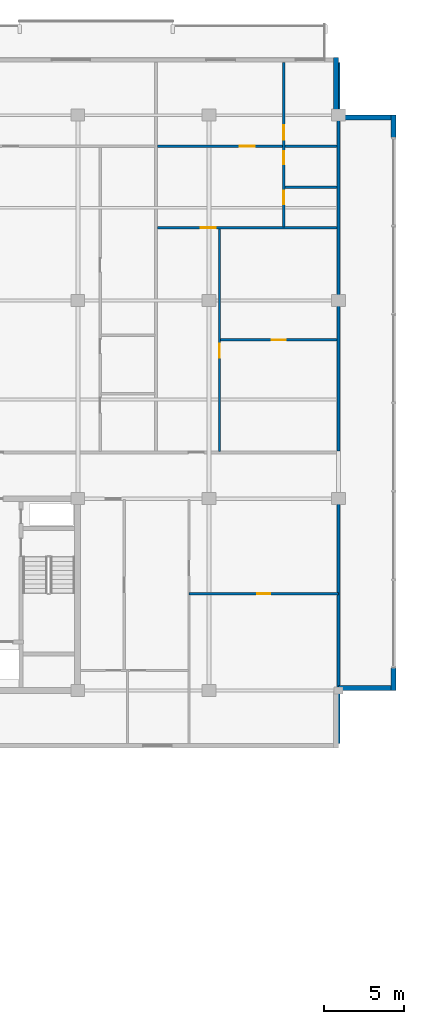
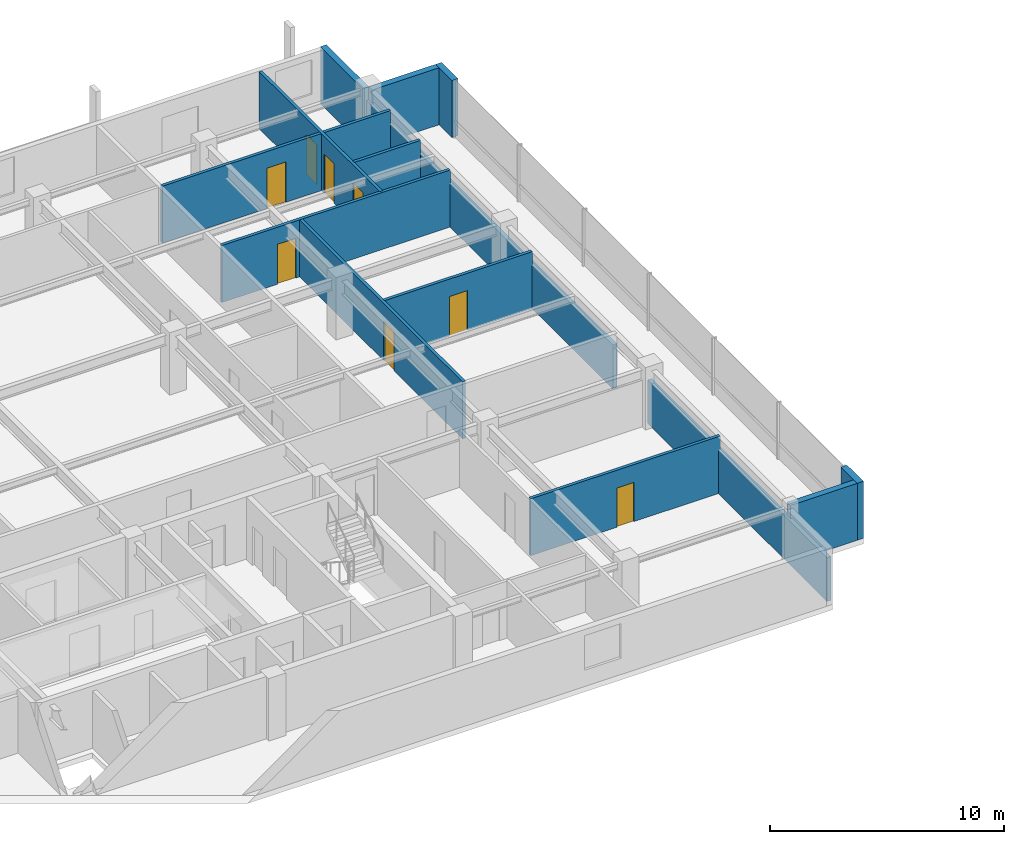
# One storey, part 26 of 32: 14 walls, 8 doors, 8 openings.
"""IFC4 building model written with IfcOpenShell, lengths in metres."""

from ifc_helpers import new_model, si_unit, direction, frame, frame_2d, origin, place, context, subcontext, project, spatial, rectangle, extrude, material, layer, layer_set, type_object, element, fill, save


model = new_model("IFC4")

# Units and contexts
model_context = context("Model", 3, precision=1e-05, world=origin(), true_north=direction((0.0, 1.0)))
body_context = subcontext(model_context, "Body", "Model", "MODEL_VIEW")
ifc_project = project(units=[si_unit("LENGTHUNIT", "METRE"), si_unit("AREAUNIT", "SQUARE_METRE"), si_unit("VOLUMEUNIT", "CUBIC_METRE"), si_unit("PLANEANGLEUNIT", "RADIAN"), si_unit("MASSUNIT", "GRAM", prefix="KILO")], contexts=[model_context])

# Site, building, storey
site_placement = place(None, origin())
site = spatial("IfcSite", under=ifc_project, at=site_placement, CompositionType="ELEMENT")
building_placement = place(site_placement, origin())
building = spatial("IfcBuilding", under=site, at=building_placement, Name="Korimba Cascade Residences", CompositionType="ELEMENT")
storey_placement = place(building_placement, frame((0.0, 0.0, 178.35009765625)))
storey = spatial("IfcBuildingStorey", under=building, at=storey_placement, Name="L51", CompositionType="ELEMENT", Elevation=178.35009765625)

# Walls
ifc_material_1 = material(Name="Precast concrete C40/50", Category="concrete")
ifc_layer_1 = layer(ifc_material_1, 0.300048828125)
ifc_layer_set_1 = layer_set([ifc_layer_1], Name="Precast concrete C40/50")
wall_type_1 = type_object("IfcWallType", Name="EW-STONE-300", PredefinedType="STANDARD", material=ifc_layer_set_1)
wall_1_placement = place(storey_placement, frame((128.39990234375, 55.35009765625, 0.0), z_axis=(0.0, 0.0, 1.0), x_axis=(1.0, 0.0, 0.0)))
element("IfcWall", 1, at=wall_1_placement, inside=storey, type_object=wall_type_1, Name="L51 T1 Perimeter Stone Wall E02", PredefinedType="STANDARD", context=body_context, shape_type="SweptSolid", body=[
    extrude(rectangle(XDim=3.60009765625, YDim=0.300048828125, at=frame_2d((1.800048828125, 0.0))), origin(), (0.0, 0.0, 1.0), 2.969970703125),
])
wall_2_placement = place(storey_placement, frame((131.85009765625, 55.199951171875, 0.0), z_axis=(0.0, 0.0, 1.0), x_axis=(0.0, 1.0, 0.0)))
element("IfcWall", 2, at=wall_2_placement, inside=storey, type_object=wall_type_1, Name="L51 T1 Sky Pier 3A", PredefinedType="STANDARD", context=body_context, shape_type="SweptSolid", body=[
    extrude(rectangle(XDim=1.400146484375, YDim=0.300048828125, at=frame_2d((0.7001953125, 0.0))), origin(), (0.0, 0.0, 1.0), 2.969970703125),
])
wall_3_placement = place(storey_placement, frame((131.85009765625, 89.800048828125, 0.0), z_axis=(0.0, 0.0, 1.0), x_axis=(0.0, 1.0, 0.0)))
element("IfcWall", 3, at=wall_3_placement, inside=storey, type_object=wall_type_1, Name="L51 T1 Sky Pier 3B", PredefinedType="STANDARD", context=body_context, shape_type="SweptSolid", body=[
    extrude(rectangle(XDim=1.39990234375, YDim=0.300048828125, at=frame_2d((0.699951171875, 0.0))), origin(), (0.0, 0.0, 1.0), 2.969970703125),
])
for number, where, z_axis, x_axis, name in (
    (4, (132.0, 91.050048828125, 0.0), (0.0, 0.0, 1.0), (-1.0, 0.0, 0.0), "L51 T1 Perimeter Stone Wall E04"),
    (5, (128.25, 91.199951171875, 0.0), (0.0, 0.0, 1.0), (0.0, 1.0, 0.0), "L51 T1 Perimeter Stone Wall E05"),
):
    element("IfcWall", number, at=place(storey_placement, frame(where, z_axis=z_axis, x_axis=x_axis)), inside=storey, type_object=wall_type_1, Name=name, PredefinedType="STANDARD", context=body_context, shape_type="SweptSolid", body=[
        extrude(rectangle(XDim=3.60009765625, YDim=0.300048828125, at=frame_2d((1.800048828125, 0.0))), origin(), (0.0, 0.0, 1.0), 2.969970703125),
    ])
ifc_layer_2 = layer(ifc_material_1, 0.199951171875)
ifc_layer_set_2 = layer_set([ifc_layer_2], Name="Precast concrete C40/50")
wall_type_2 = type_object("IfcWallType", Name="WAL-IT-200", PredefinedType="PARTITIONING", material=ifc_layer_set_2)
wall_4_placement = place(storey_placement, frame((128.39990234375, 51.89990234375, 0.0), z_axis=(0.0, 0.0, 1.0), x_axis=(0.0, 1.0, 0.0)))
element("IfcWall", 6, at=wall_4_placement, inside=storey, type_object=wall_type_2, Name="L51 Partition Wall WAL-L51-T1-FE-WR", PredefinedType="PARTITIONING", context=body_context, shape_type="SweptSolid", body=[
    extrude(rectangle(XDim=15.300048828125, YDim=0.199951171875, at=frame_2d((7.64990234375, 0.0))), origin(), (0.0, 0.0, 1.0), 2.277099609375),
])
wall_5_placement = place(storey_placement, frame((128.39990234375, 70.179931640625, 0.0), z_axis=(0.0, 0.0, 1.0), x_axis=(0.0, 1.0, 0.0)))
element("IfcWall", 7, at=wall_5_placement, inside=storey, type_object=wall_type_2, Name="L51 Partition Wall WAL-L51-T1-BNDWR", PredefinedType="PARTITIONING", context=body_context, shape_type="SweptSolid", body=[
    extrude(rectangle(XDim=24.320068359375, YDim=0.199951171875, at=frame_2d((12.16015625, 0.0))), origin(), (0.0, 0.0, 1.0), 2.277099609375),
])

# Wall, opening, door
ifc_material_2 = material(Name="Insulated Acoustic Stud Partition", Category="gypsum")
ifc_layer_3 = layer(ifc_material_2, 0.14990234375)
ifc_layer_set_3 = layer_set([ifc_layer_3], Name="Insulated Acoustic Stud Partition")
wall_type_3 = type_object("IfcWallType", Name="WAL-PART-150", PredefinedType="PARTITIONING", material=ifc_layer_set_3)
wall_6_placement = place(storey_placement, frame((119.050048828125, 61.25, 0.0), z_axis=(0.0, 0.0, 1.0), x_axis=(1.0, 0.0, 0.0)))
wall_6 = element("IfcWall", 8, at=wall_6_placement, inside=storey, type_object=wall_type_3, Name="L51 Partition Wall WAL-L51-T1-FE-STH", PredefinedType="PARTITIONING", context=body_context, shape_type="SweptSolid", body=[
    extrude(rectangle(XDim=9.349853515625, YDim=0.14990234375, at=frame_2d((4.6748046875, 0.0))), origin(), (0.0, 0.0, 1.0), 2.969970703125),
])
opening_1_placement = place(wall_6_placement, frame((4.2548828125, 0.0, 0.0)))
opening_1 = element("IfcOpeningElement", 9, at=opening_1_placement, cuts=wall_6, Name="Opening D-BT1", PredefinedType="OPENING", context=body_context, shape_type="SweptSolid", body=[
    extrude(rectangle(XDim=0.840087890625, YDim=2.0400390625, at=frame_2d((0.419921875, 1.02001953125))), frame((0.0, 0.0849609375, 0.0), z_axis=(0.0, -1.0, 0.0), x_axis=(1.0, 0.0, 0.0)), (0.0, 0.0, 1.0), 0.169921875),
])
ifc_material_3 = material(Name="Moisture-Resistant Bathroom Timber Door", Category="wood")
door_type_1 = type_object("IfcDoorType", Name="DR-INT-850", OperationType="NOTDEFINED", PredefinedType="DOOR", material=ifc_material_3)
door_1_placement = place(opening_1_placement, origin())
door_1 = element("IfcDoor", 10, at=door_1_placement, inside=storey, type_object=door_type_1, Name="L51-T1-FE Dressing Store Door", OperationType="SINGLE_SWING_LEFT", OverallHeight=2.0400390625, OverallWidth=0.840087890625, PredefinedType="DOOR", context=body_context, shape_type="SweptSolid", body=[
    extrude(rectangle(XDim=0.840087890625, YDim=2.0400390625, at=frame_2d((0.419921875, 1.02001953125))), frame((0.0, 0.02490234375, 0.0), z_axis=(0.0, -1.0, 0.0), x_axis=(1.0, 0.0, 0.0)), (0.0, 0.0, 1.0), 0.050048828125),
])
fill(opening_1, door_1)

wall_7_placement = place(storey_placement, frame((121.01708984375, 77.135009765625, 0.0), z_axis=(0.0, 0.0, 1.0), x_axis=(1.0, 0.0, 0.0)))
wall_7 = element("IfcWall", 11, at=wall_7_placement, inside=storey, type_object=wall_type_3, Name="L51 Partition Wall WAL-L51-T1-U04-FMH", PredefinedType="PARTITIONING", context=body_context, shape_type="SweptSolid", body=[
    extrude(rectangle(XDim=7.302978515625, YDim=0.14990234375, at=frame_2d((3.6513671875, 0.0))), origin(), (0.0, 0.0, 1.0), 2.969970703125),
])
opening_2_placement = place(wall_7_placement, frame((3.21142578125, 0.0, 0.0)))
opening_2 = element("IfcOpeningElement", 12, at=opening_2_placement, cuts=wall_7, Name="Opening D-IN2", PredefinedType="OPENING", context=body_context, shape_type="SweptSolid", body=[
    extrude(rectangle(XDim=0.8798828125, YDim=2.06005859375, at=frame_2d((0.43994140625, 1.030029296875))), frame((0.0, 0.0849609375, 0.0), z_axis=(0.0, -1.0, 0.0), x_axis=(1.0, 0.0, 0.0)), (0.0, 0.0, 1.0), 0.169921875),
])
ifc_material_4 = material(Name="Acoustic Timber Bedroom Door", Category="wood")
door_type_2 = type_object("IfcDoorType", Name="DR-INT-880", OperationType="NOTDEFINED", PredefinedType="DOOR", material=ifc_material_4)
door_2_placement = place(opening_2_placement, origin())
door_2 = element("IfcDoor", 13, at=door_2_placement, inside=storey, type_object=door_type_2, Name="L51-T1-U04 Library Salon Door", OperationType="SINGLE_SWING_RIGHT", OverallHeight=2.06005859375, OverallWidth=0.8798828125, PredefinedType="DOOR", context=body_context, shape_type="SweptSolid", body=[
    extrude(rectangle(XDim=0.8798828125, YDim=2.06005859375, at=frame_2d((0.43994140625, 1.030029296875))), frame((0.0, 0.02490234375, 0.0), z_axis=(0.0, -1.0, 0.0), x_axis=(1.0, 0.0, 0.0)), (0.0, 0.0, 1.0), 0.050048828125),
])
fill(opening_2, door_2)

wall_8_placement = place(storey_placement, frame((120.95703125, 70.159912109375, 0.0), z_axis=(0.0, 0.0, 1.0), x_axis=(0.0, 1.0, 0.0)))
wall_8 = element("IfcWall", 14, at=wall_8_placement, inside=storey, type_object=wall_type_3, Name="L51 Partition Wall WAL-L51-T1-U04-FV", PredefinedType="PARTITIONING", context=body_context, shape_type="SweptSolid", body=[
    extrude(rectangle(XDim=13.9501953125, YDim=0.14990234375, at=frame_2d((6.97509765625, 0.0))), origin(), (0.0, 0.0, 1.0), 2.969970703125),
])
opening_3_placement = place(wall_8_placement, frame((5.844970703125, 0.0, 0.0)))
opening_3 = element("IfcOpeningElement", 15, at=opening_3_placement, cuts=wall_8, Name="Opening D-IN2", PredefinedType="OPENING", context=body_context, shape_type="SweptSolid", body=[
    extrude(rectangle(XDim=0.8798828125, YDim=2.06005859375, at=frame_2d((0.43994140625, 1.030029296875))), frame((0.0, 0.0849609375, 0.0), z_axis=(0.0, -1.0, 0.0), x_axis=(1.0, 0.0, 0.0)), (0.0, 0.0, 1.0), 0.169921875),
])
door_3_placement = place(opening_3_placement, origin())
door_3 = element("IfcDoor", 16, at=door_3_placement, inside=storey, type_object=door_type_2, Name="L51-T1-U04 Media Lounge Door", OperationType="SINGLE_SWING_LEFT", OverallHeight=2.06005859375, OverallWidth=0.8798828125, PredefinedType="DOOR", context=body_context, shape_type="SweptSolid", body=[
    extrude(rectangle(XDim=0.8798828125, YDim=2.06005859375, at=frame_2d((0.43994140625, 1.030029296875))), frame((0.0, 0.02490234375, 0.0), z_axis=(0.0, -1.0, 0.0), x_axis=(1.0, 0.0, 0.0)), (0.0, 0.0, 1.0), 0.050048828125),
])
fill(opening_3, door_3)

# Wall
wall_9_placement = place(storey_placement, frame((125.0400390625, 86.68994140625, 0.0), z_axis=(0.0, 0.0, 1.0), x_axis=(1.0, 0.0, 0.0)))
element("IfcWall", 17, at=wall_9_placement, inside=storey, type_object=wall_type_3, Name="L51 Partition Wall WAL-L51-T1-U04-BLDIV", PredefinedType="PARTITIONING", context=body_context, shape_type="SweptSolid", body=[
    extrude(rectangle(XDim=3.280029296875, YDim=0.14990234375, at=frame_2d((1.64013671875, 0.0))), origin(), (0.0, 0.0, 1.0), 2.969970703125),
])

# Wall, openings, doors
wall_10_placement = place(storey_placement, frame((124.97998046875, 84.18994140625, 0.0), z_axis=(0.0, 0.0, 1.0), x_axis=(0.0, 1.0, 0.0)))
wall_10 = element("IfcWall", 18, at=wall_10_placement, inside=storey, type_object=wall_type_3, Name="L51 Partition Wall WAL-L51-T1-U04-V1", PredefinedType="PARTITIONING", context=body_context, shape_type="SweptSolid", body=[
    extrude(rectangle(XDim=10.31005859375, YDim=0.14990234375, at=frame_2d((5.155029296875, 0.0))), origin(), (0.0, 0.0, 1.0), 2.969970703125),
])
opening_4_placement = place(wall_10_placement, frame((1.430419921875, 0.0, 0.0)))
opening_4 = element("IfcOpeningElement", 19, at=opening_4_placement, cuts=wall_10, Name="Opening D-BT1", PredefinedType="OPENING", context=body_context, shape_type="SweptSolid", body=[
    extrude(rectangle(XDim=0.840087890625, YDim=2.0400390625, at=frame_2d((0.419921875, 1.02001953125))), frame((0.0, 0.0849609375, 0.0), z_axis=(0.0, -1.0, 0.0), x_axis=(1.0, 0.0, 0.0)), (0.0, 0.0, 1.0), 0.169921875),
])
opening_5_placement = place(wall_10_placement, frame((3.919921875, 0.0, 0.0)))
opening_5 = element("IfcOpeningElement", 20, at=opening_5_placement, cuts=wall_10, Name="Opening D-BT1", PredefinedType="OPENING", context=body_context, shape_type="SweptSolid", body=[
    extrude(rectangle(XDim=0.840087890625, YDim=2.0400390625, at=frame_2d((0.419921875, 1.02001953125))), frame((0.0, 0.0849609375, 0.0), z_axis=(0.0, -1.0, 0.0), x_axis=(1.0, 0.0, 0.0)), (0.0, 0.0, 1.0), 0.169921875),
])
opening_6_placement = place(wall_10_placement, frame((5.47998046875, 0.0, 0.0)))
opening_6 = element("IfcOpeningElement", 21, at=opening_6_placement, cuts=wall_10, Name="Opening D-IN2", PredefinedType="OPENING", context=body_context, shape_type="SweptSolid", body=[
    extrude(rectangle(XDim=0.8798828125, YDim=2.06005859375, at=frame_2d((0.43994140625, 1.030029296875))), frame((0.0, 0.0849609375, 0.0), z_axis=(0.0, -1.0, 0.0), x_axis=(1.0, 0.0, 0.0)), (0.0, 0.0, 1.0), 0.169921875),
])
door_4_placement = place(opening_4_placement, origin())
door_4 = element("IfcDoor", 22, at=door_4_placement, inside=storey, type_object=door_type_1, Name="L51-T1-U04 Bathroom Door", OperationType="SINGLE_SWING_RIGHT", OverallHeight=2.0400390625, OverallWidth=0.840087890625, PredefinedType="DOOR", context=body_context, shape_type="SweptSolid", body=[
    extrude(rectangle(XDim=0.840087890625, YDim=2.0400390625, at=frame_2d((0.419921875, 1.02001953125))), frame((0.0, 0.02490234375, 0.0), z_axis=(0.0, -1.0, 0.0), x_axis=(1.0, 0.0, 0.0)), (0.0, 0.0, 1.0), 0.050048828125),
])
fill(opening_4, door_4)
door_5_placement = place(opening_5_placement, origin())
door_5 = element("IfcDoor", 23, at=door_5_placement, inside=storey, type_object=door_type_1, Name="L51-T1-U04 Laundry Door", OperationType="SINGLE_SWING_LEFT", OverallHeight=2.0400390625, OverallWidth=0.840087890625, PredefinedType="DOOR", context=body_context, shape_type="SweptSolid", body=[
    extrude(rectangle(XDim=0.840087890625, YDim=2.0400390625, at=frame_2d((0.419921875, 1.02001953125))), frame((0.0, 0.02490234375, 0.0), z_axis=(0.0, -1.0, 0.0), x_axis=(1.0, 0.0, 0.0)), (0.0, 0.0, 1.0), 0.050048828125),
])
fill(opening_5, door_5)
door_6_placement = place(opening_6_placement, origin())
door_6 = element("IfcDoor", 24, at=door_6_placement, inside=storey, type_object=door_type_2, Name="L51-T1-U04 Bedroom 1 Door", OperationType="SINGLE_SWING_RIGHT", OverallHeight=2.06005859375, OverallWidth=0.8798828125, PredefinedType="DOOR", context=body_context, shape_type="SweptSolid", body=[
    extrude(rectangle(XDim=0.8798828125, YDim=2.06005859375, at=frame_2d((0.43994140625, 1.030029296875))), frame((0.0, 0.02490234375, 0.0), z_axis=(0.0, -1.0, 0.0), x_axis=(1.0, 0.0, 0.0)), (0.0, 0.0, 1.0), 0.050048828125),
])
fill(opening_6, door_6)

# Wall, opening, door
wall_11_placement = place(storey_placement, frame((117.067138671875, 84.14990234375, 0.0), z_axis=(0.0, 0.0, 1.0), x_axis=(1.0, 0.0, 0.0)))
wall_11 = element("IfcWall", 25, at=wall_11_placement, inside=storey, type_object=wall_type_3, Name="L51 Partition Wall WAL-L51-T1-U04-MW", PredefinedType="PARTITIONING", context=body_context, shape_type="SweptSolid", body=[
    extrude(rectangle(XDim=11.2529296875, YDim=0.14990234375, at=frame_2d((5.62646484375, 0.0))), origin(), (0.0, 0.0, 1.0), 2.969970703125),
])
opening_7_placement = place(wall_11_placement, frame((2.719970703125, 0.0, 0.0)))
opening_7 = element("IfcOpeningElement", 26, at=opening_7_placement, cuts=wall_11, Name="Opening D-IN1", PredefinedType="OPENING", context=body_context, shape_type="SweptSolid", body=[
    extrude(rectangle(XDim=0.919921875, YDim=2.080078125, at=frame_2d((0.4599609375, 1.0400390625))), frame((0.0, 0.0849609375, 0.0), z_axis=(0.0, -1.0, 0.0), x_axis=(1.0, 0.0, 0.0)), (0.0, 0.0, 1.0), 0.169921875),
])
ifc_material_5 = material(Name="Acoustic Timber Living Door", Category="wood")
door_type_3 = type_object("IfcDoorType", Name="DR-INT-920", OperationType="NOTDEFINED", PredefinedType="DOOR", material=ifc_material_5)
door_7_placement = place(opening_7_placement, origin())
door_7 = element("IfcDoor", 27, at=door_7_placement, inside=storey, type_object=door_type_3, Name="L51-T1-U04 Kitchen Archway Door", OperationType="SINGLE_SWING_LEFT", OverallHeight=2.080078125, OverallWidth=0.919921875, PredefinedType="DOOR", context=body_context, shape_type="SweptSolid", body=[
    extrude(rectangle(XDim=0.919921875, YDim=2.080078125, at=frame_2d((0.4599609375, 1.0400390625))), frame((0.0, 0.02490234375, 0.0), z_axis=(0.0, -1.0, 0.0), x_axis=(1.0, 0.0, 0.0)), (0.0, 0.0, 1.0), 0.050048828125),
])
fill(opening_7, door_7)

wall_12_placement = place(storey_placement, frame((117.067138671875, 89.25, 0.0), z_axis=(0.0, 0.0, 1.0), x_axis=(1.0, 0.0, 0.0)))
wall_12 = element("IfcWall", 28, at=wall_12_placement, inside=storey, type_object=wall_type_3, Name="L51 Partition Wall WAL-L51-T1-U04-HZ", PredefinedType="PARTITIONING", context=body_context, shape_type="SweptSolid", body=[
    extrude(rectangle(XDim=11.2529296875, YDim=0.14990234375, at=frame_2d((5.62646484375, 0.0))), origin(), (0.0, 0.0, 1.0), 2.969970703125),
])
opening_8_placement = place(wall_12_placement, frame((5.156494140625, 0.0, 0.0)))
opening_8 = element("IfcOpeningElement", 29, at=opening_8_placement, cuts=wall_12, Name="Opening D-IN0", PredefinedType="OPENING", context=body_context, shape_type="SweptSolid", body=[
    extrude(rectangle(XDim=0.93994140625, YDim=2.10009765625, at=frame_2d((0.469970703125, 1.050048828125))), frame((0.0, 0.0849609375, 0.0), z_axis=(0.0, -1.0, 0.0), x_axis=(1.0, 0.0, 0.0)), (0.0, 0.0, 1.0), 0.169921875),
])
ifc_material_6 = material(Name="Acoustic Timber Living Archway Door", Category="wood")
door_type_4 = type_object("IfcDoorType", Name="DR-INT-950", OperationType="NOTDEFINED", PredefinedType="DOOR", material=ifc_material_6)
door_8_placement = place(opening_8_placement, origin())
door_8 = element("IfcDoor", 30, at=door_8_placement, inside=storey, type_object=door_type_4, Name="L51-T1-U04 Living Archway Door", OperationType="SINGLE_SWING_RIGHT", OverallHeight=2.10009765625, OverallWidth=0.93994140625, PredefinedType="DOOR", context=body_context, shape_type="SweptSolid", body=[
    extrude(rectangle(XDim=0.93994140625, YDim=2.10009765625, at=frame_2d((0.469970703125, 1.050048828125))), frame((0.0, 0.02490234375, 0.0), z_axis=(0.0, -1.0, 0.0), x_axis=(1.0, 0.0, 0.0)), (0.0, 0.0, 1.0), 0.050048828125),
])
fill(opening_8, door_8)

save(model, "model.ifc")
